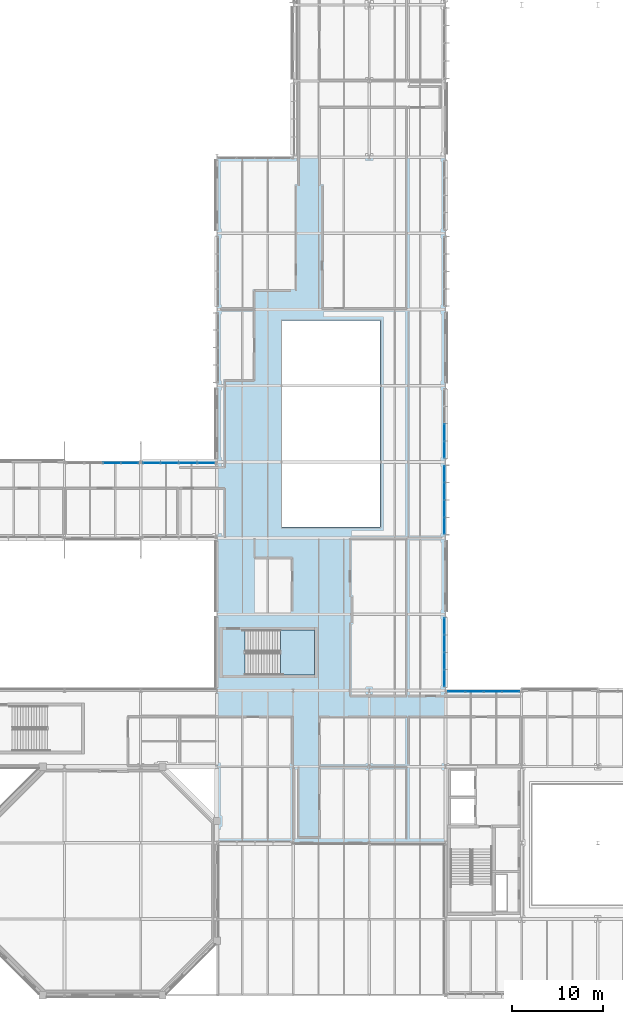
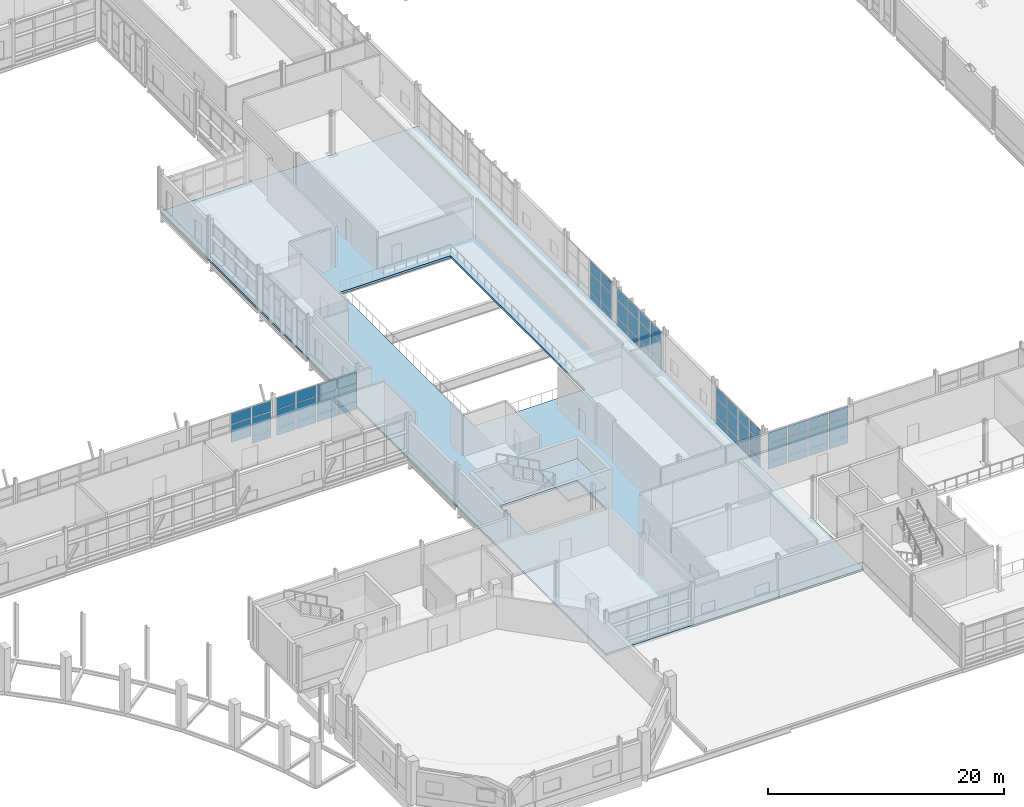
# One storey, part 83 of 129: 59 plates, 2 slabs, 7 elements without a shape of their own.
"""IFC4 building model written with IfcOpenShell, lengths in metres."""

from ifc_helpers import new_model, si_unit, direction, frame, origin, origin_2d, place, context, subcontext, project, spatial, polyline, rectangle, outline, extrude, material, layer, layer_set, type_object, element, aggregate, save


model = new_model("IFC4")

# Units and contexts
model_context = context("Model", 3, precision=1e-05, world=origin(), true_north=direction((0.0, 1.0)))
body_context = subcontext(model_context, "Body", "Model", "MODEL_VIEW")
ifc_project = project(units=[si_unit("LENGTHUNIT", "METRE"), si_unit("AREAUNIT", "SQUARE_METRE"), si_unit("VOLUMEUNIT", "CUBIC_METRE"), si_unit("PLANEANGLEUNIT", "RADIAN"), si_unit("MASSUNIT", "GRAM", prefix="KILO")], contexts=[model_context])

# Site, building, storey
site_placement = place(None, origin())
site = spatial("IfcSite", under=ifc_project, at=site_placement, CompositionType="ELEMENT")
building_placement = place(site_placement, origin())
building = spatial("IfcBuilding", under=site, at=building_placement, Name="Mersafa Astral City Hall", CompositionType="ELEMENT")
storey_placement = place(building_placement, frame((0.0, 0.0, 5.39990234375)))
storey = spatial("IfcBuildingStorey", under=building, at=storey_placement, Name="L01", CompositionType="ELEMENT", Elevation=5.39990234375)

# Curtain wall, plates
ifc_material_1 = material(Name="Anodised bronze aluminium framing", Category="aluminium")
curtain_wall_type_1 = type_object("IfcCurtainWallType", Name="ENV-CW-5", PredefinedType="USERDEFINED", material=ifc_material_1)
curtain_wall_1_placement = place(storey_placement, origin())
curtain_wall_1 = element("IfcCurtainWall", 1, at=curtain_wall_1_placement, inside=storey, type_object=curtain_wall_type_1, Name="L01 Unitised solar curtain wall 52", ObjectType="UNITISED CURTAIN WALL", PredefinedType="USERDEFINED")
ifc_material_2 = material(Name="Solar control low-e double glazing", Category="glass")
ifc_layer_1 = layer(ifc_material_2, 0.028076171875, Name="Solar control low-e double glazing")
ifc_layer_set_1 = layer_set([ifc_layer_1], Name="Solar control low-e double glazing — ENV-CW-PNL-GLZ-1")
plate_type_1 = type_object("IfcPlateType", Name="ENV-CW-PNL-GLZ-1", PredefinedType="CURTAIN_PANEL", material=ifc_layer_set_1)
plate_1_placement = place(storey_placement, frame((124.798583984375, 33.47998046875, 0.05810546875), z_axis=(0.0, 0.0, 1.0), x_axis=(-1.0, 0.0, 0.0)))
plate_1 = element("IfcPlate", 2, at=plate_1_placement, type_object=plate_type_1, Name="CW-5 panel 1.1", PredefinedType="CURTAIN_PANEL", context=body_context, shape_type="SweptSolid", body=[
    extrude(rectangle(XDim=1.839111328125, YDim=0.028076171875, at=origin_2d()), origin(), (0.0, 0.0, 1.0), 0.761962890625),
])
plate_2_placement = place(storey_placement, frame((124.798583984375, 33.47998046875, 0.8798828125), z_axis=(0.0, 0.0, 1.0), x_axis=(-1.0, 0.0, 0.0)))
plate_2 = element("IfcPlate", 3, at=plate_2_placement, type_object=plate_type_1, Name="CW-5 panel 1.2", PredefinedType="CURTAIN_PANEL", context=body_context, shape_type="SweptSolid", body=[
    extrude(rectangle(XDim=1.839111328125, YDim=0.028076171875, at=origin_2d()), origin(), (0.0, 0.0, 1.0), 1.840087890625),
])
plate_3_placement = place(storey_placement, frame((124.798583984375, 33.47998046875, 2.7802734375), z_axis=(0.0, 0.0, 1.0), x_axis=(-1.0, 0.0, 0.0)))
plate_3 = element("IfcPlate", 4, at=plate_3_placement, type_object=plate_type_1, Name="CW-5 panel 1.3", PredefinedType="CURTAIN_PANEL", context=body_context, shape_type="SweptSolid", body=[
    extrude(rectangle(XDim=1.839111328125, YDim=0.028076171875, at=origin_2d()), origin(), (0.0, 0.0, 1.0), 1.096923828125),
])
plate_4_placement = place(storey_placement, frame((122.8095703125, 33.47998046875, 0.05810546875), z_axis=(0.0, 0.0, 1.0), x_axis=(-1.0, 0.0, 0.0)))
plate_4 = element("IfcPlate", 5, at=plate_4_placement, type_object=plate_type_1, Name="CW-5 panel 2.1", PredefinedType="CURTAIN_PANEL", context=body_context, shape_type="SweptSolid", body=[
    extrude(rectangle(XDim=1.89892578125, YDim=0.028076171875, at=origin_2d()), origin(), (0.0, 0.0, 1.0), 0.761962890625),
])
plate_5_placement = place(storey_placement, frame((122.8095703125, 33.47998046875, 0.8798828125), z_axis=(0.0, 0.0, 1.0), x_axis=(-1.0, 0.0, 0.0)))
plate_5 = element("IfcPlate", 6, at=plate_5_placement, type_object=plate_type_1, Name="CW-5 panel 2.2", PredefinedType="CURTAIN_PANEL", context=body_context, shape_type="SweptSolid", body=[
    extrude(rectangle(XDim=1.89892578125, YDim=0.028076171875, at=origin_2d()), origin(), (0.0, 0.0, 1.0), 1.840087890625),
])
plate_6_placement = place(storey_placement, frame((122.8095703125, 33.47998046875, 2.7802734375), z_axis=(0.0, 0.0, 1.0), x_axis=(-1.0, 0.0, 0.0)))
plate_6 = element("IfcPlate", 7, at=plate_6_placement, type_object=plate_type_1, Name="CW-5 panel 2.3", PredefinedType="CURTAIN_PANEL", context=body_context, shape_type="SweptSolid", body=[
    extrude(rectangle(XDim=1.89892578125, YDim=0.028076171875, at=origin_2d()), origin(), (0.0, 0.0, 1.0), 1.096923828125),
])
plate_7_placement = place(storey_placement, frame((120.79052734375, 33.47998046875, 0.05810546875), z_axis=(0.0, 0.0, 1.0), x_axis=(-1.0, 0.0, 0.0)))
plate_7 = element("IfcPlate", 8, at=plate_7_placement, type_object=plate_type_1, Name="CW-5 panel 3.1", PredefinedType="CURTAIN_PANEL", context=body_context, shape_type="SweptSolid", body=[
    extrude(rectangle(XDim=1.89892578125, YDim=0.028076171875, at=origin_2d()), origin(), (0.0, 0.0, 1.0), 0.761962890625),
])
plate_8_placement = place(storey_placement, frame((120.79052734375, 33.47998046875, 0.8798828125), z_axis=(0.0, 0.0, 1.0), x_axis=(-1.0, 0.0, 0.0)))
plate_8 = element("IfcPlate", 9, at=plate_8_placement, type_object=plate_type_1, Name="CW-5 panel 3.2", PredefinedType="CURTAIN_PANEL", context=body_context, shape_type="SweptSolid", body=[
    extrude(rectangle(XDim=1.89892578125, YDim=0.028076171875, at=origin_2d()), origin(), (0.0, 0.0, 1.0), 1.840087890625),
])
plate_9_placement = place(storey_placement, frame((120.79052734375, 33.47998046875, 2.7802734375), z_axis=(0.0, 0.0, 1.0), x_axis=(-1.0, 0.0, 0.0)))
plate_9 = element("IfcPlate", 10, at=plate_9_placement, type_object=plate_type_1, Name="CW-5 panel 3.3", PredefinedType="CURTAIN_PANEL", context=body_context, shape_type="SweptSolid", body=[
    extrude(rectangle(XDim=1.89892578125, YDim=0.028076171875, at=origin_2d()), origin(), (0.0, 0.0, 1.0), 1.096923828125),
])
plate_10_placement = place(storey_placement, frame((118.801513671875, 33.47998046875, 0.05810546875), z_axis=(0.0, 0.0, 1.0), x_axis=(-1.0, 0.0, 0.0)))
plate_10 = element("IfcPlate", 11, at=plate_10_placement, type_object=plate_type_1, Name="CW-5 panel 4.1", PredefinedType="CURTAIN_PANEL", context=body_context, shape_type="SweptSolid", body=[
    extrude(rectangle(XDim=1.839111328125, YDim=0.028076171875, at=origin_2d()), origin(), (0.0, 0.0, 1.0), 0.761962890625),
])
plate_11_placement = place(storey_placement, frame((118.801513671875, 33.47998046875, 0.8798828125), z_axis=(0.0, 0.0, 1.0), x_axis=(-1.0, 0.0, 0.0)))
plate_11 = element("IfcPlate", 12, at=plate_11_placement, type_object=plate_type_1, Name="CW-5 panel 4.2", PredefinedType="CURTAIN_PANEL", context=body_context, shape_type="SweptSolid", body=[
    extrude(rectangle(XDim=1.839111328125, YDim=0.028076171875, at=origin_2d()), origin(), (0.0, 0.0, 1.0), 1.840087890625),
])
plate_12_placement = place(storey_placement, frame((118.801513671875, 33.47998046875, 2.7802734375), z_axis=(0.0, 0.0, 1.0), x_axis=(-1.0, 0.0, 0.0)))
plate_12 = element("IfcPlate", 13, at=plate_12_placement, type_object=plate_type_1, Name="CW-5 panel 4.3", PredefinedType="CURTAIN_PANEL", context=body_context, shape_type="SweptSolid", body=[
    extrude(rectangle(XDim=1.839111328125, YDim=0.028076171875, at=origin_2d()), origin(), (0.0, 0.0, 1.0), 1.096923828125),
])
aggregate(curtain_wall_1, [plate_1, plate_2, plate_3, plate_4, plate_5, plate_6, plate_7, plate_8, plate_9, plate_10, plate_11, plate_12])

curtain_wall_type_2 = type_object("IfcCurtainWallType", Name="ENV-CW-1", PredefinedType="USERDEFINED", material=ifc_material_1)
curtain_wall_2_placement = place(storey_placement, origin())
curtain_wall_2 = element("IfcCurtainWall", 14, at=curtain_wall_2_placement, inside=storey, type_object=curtain_wall_type_2, Name="L01 Unitised solar curtain wall 96", ObjectType="UNITISED CURTAIN WALL", PredefinedType="USERDEFINED")
plate_13_placement = place(storey_placement, frame((82.798583984375, 58.679931640625, 0.05810546875), z_axis=(0.0, 0.0, 1.0), x_axis=(-1.0, 0.0, 0.0)))
plate_13 = element("IfcPlate", 15, at=plate_13_placement, type_object=plate_type_1, Name="CW-1 panel 1.1", PredefinedType="CURTAIN_PANEL", context=body_context, shape_type="SweptSolid", body=[
    extrude(rectangle(XDim=1.839111328125, YDim=0.028076171875, at=origin_2d()), origin(), (0.0, 0.0, 1.0), 0.761962890625),
])
plate_14_placement = place(storey_placement, frame((82.798583984375, 58.679931640625, 0.8798828125), z_axis=(0.0, 0.0, 1.0), x_axis=(-1.0, 0.0, 0.0)))
plate_14 = element("IfcPlate", 16, at=plate_14_placement, type_object=plate_type_1, Name="CW-1 panel 1.2", PredefinedType="CURTAIN_PANEL", context=body_context, shape_type="SweptSolid", body=[
    extrude(rectangle(XDim=1.839111328125, YDim=0.028076171875, at=origin_2d()), origin(), (0.0, 0.0, 1.0), 1.840087890625),
])
plate_15_placement = place(storey_placement, frame((82.798583984375, 58.679931640625, 2.7802734375), z_axis=(0.0, 0.0, 1.0), x_axis=(-1.0, 0.0, 0.0)))
plate_15 = element("IfcPlate", 17, at=plate_15_placement, type_object=plate_type_1, Name="CW-1 panel 1.3", PredefinedType="CURTAIN_PANEL", context=body_context, shape_type="SweptSolid", body=[
    extrude(rectangle(XDim=1.839111328125, YDim=0.028076171875, at=origin_2d()), origin(), (0.0, 0.0, 1.0), 1.096923828125),
])
plate_16_placement = place(storey_placement, frame((80.8095703125, 58.679931640625, 0.8798828125), z_axis=(0.0, 0.0, 1.0), x_axis=(-1.0, 0.0, 0.0)))
plate_16 = element("IfcPlate", 18, at=plate_16_placement, type_object=plate_type_1, Name="CW-1 panel 2.2", PredefinedType="CURTAIN_PANEL", context=body_context, shape_type="SweptSolid", body=[
    extrude(rectangle(XDim=1.89892578125, YDim=0.028076171875, at=origin_2d()), origin(), (0.0, 0.0, 1.0), 1.840087890625),
])
plate_17_placement = place(storey_placement, frame((80.8095703125, 58.679931640625, 2.7802734375), z_axis=(0.0, 0.0, 1.0), x_axis=(-1.0, 0.0, 0.0)))
plate_17 = element("IfcPlate", 19, at=plate_17_placement, type_object=plate_type_1, Name="CW-1 panel 2.3", PredefinedType="CURTAIN_PANEL", context=body_context, shape_type="SweptSolid", body=[
    extrude(rectangle(XDim=1.89892578125, YDim=0.028076171875, at=origin_2d()), origin(), (0.0, 0.0, 1.0), 1.096923828125),
])
aggregate(curtain_wall_2, [plate_13, plate_14, plate_15, plate_16, plate_17])

curtain_wall_type_3 = type_object("IfcCurtainWallType", Name="ENV-CW-6", PredefinedType="USERDEFINED", material=ifc_material_1)
curtain_wall_3_placement = place(storey_placement, origin())
curtain_wall_3 = element("IfcCurtainWall", 20, at=curtain_wall_3_placement, inside=storey, type_object=curtain_wall_type_3, Name="L01 Unitised solar curtain wall 53", ObjectType="UNITISED CURTAIN WALL", PredefinedType="USERDEFINED")
ifc_layer_2 = layer(ifc_material_2, 0.031982421875, Name="Solar control low-e double glazing")
ifc_layer_set_2 = layer_set([ifc_layer_2], Name="Solar control low-e double glazing — ENV-CW-PNL-GLZ-2")
plate_type_2 = type_object("IfcPlateType", Name="ENV-CW-PNL-GLZ-2", PredefinedType="CURTAIN_PANEL", material=ifc_layer_set_2)
plate_18_placement = place(storey_placement, frame((117.47998046875, 34.932861328125, 0.05810546875), z_axis=(0.0, 0.0, 1.0), x_axis=(0.0, 1.0, 0.0)))
plate_18 = element("IfcPlate", 21, at=plate_18_placement, type_object=plate_type_2, Name="CW-6 panel 1.1", PredefinedType="CURTAIN_PANEL", context=body_context, shape_type="SweptSolid", body=[
    extrude(rectangle(XDim=1.75146484375, YDim=0.031982421875, at=origin_2d()), origin(), (0.0, 0.0, 1.0), 0.761962890625),
])
plate_19_placement = place(storey_placement, frame((117.47998046875, 34.932861328125, 0.8798828125), z_axis=(0.0, 0.0, 1.0), x_axis=(0.0, 1.0, 0.0)))
plate_19 = element("IfcPlate", 22, at=plate_19_placement, type_object=plate_type_2, Name="CW-6 panel 1.2", PredefinedType="CURTAIN_PANEL", context=body_context, shape_type="SweptSolid", body=[
    extrude(rectangle(XDim=1.75146484375, YDim=0.031982421875, at=origin_2d()), origin(), (0.0, 0.0, 1.0), 1.840087890625),
])
plate_20_placement = place(storey_placement, frame((117.47998046875, 34.932861328125, 2.7802734375), z_axis=(0.0, 0.0, 1.0), x_axis=(0.0, 1.0, 0.0)))
plate_20 = element("IfcPlate", 23, at=plate_20_placement, type_object=plate_type_2, Name="CW-6 panel 1.3", PredefinedType="CURTAIN_PANEL", context=body_context, shape_type="SweptSolid", body=[
    extrude(rectangle(XDim=1.75146484375, YDim=0.031982421875, at=origin_2d()), origin(), (0.0, 0.0, 1.0), 1.096923828125),
])
plate_21_placement = place(storey_placement, frame((117.47998046875, 36.834228515625, 0.05810546875), z_axis=(0.0, 0.0, 1.0), x_axis=(0.0, 1.0, 0.0)))
plate_21 = element("IfcPlate", 24, at=plate_21_placement, type_object=plate_type_2, Name="CW-6 panel 2.1", PredefinedType="CURTAIN_PANEL", context=body_context, shape_type="SweptSolid", body=[
    extrude(rectangle(XDim=1.8115234375, YDim=0.031982421875, at=origin_2d()), origin(), (0.0, 0.0, 1.0), 0.761962890625),
])
plate_22_placement = place(storey_placement, frame((117.47998046875, 36.834228515625, 0.8798828125), z_axis=(0.0, 0.0, 1.0), x_axis=(0.0, 1.0, 0.0)))
plate_22 = element("IfcPlate", 25, at=plate_22_placement, type_object=plate_type_2, Name="CW-6 panel 2.2", PredefinedType="CURTAIN_PANEL", context=body_context, shape_type="SweptSolid", body=[
    extrude(rectangle(XDim=1.8115234375, YDim=0.031982421875, at=origin_2d()), origin(), (0.0, 0.0, 1.0), 1.840087890625),
])
plate_23_placement = place(storey_placement, frame((117.47998046875, 36.834228515625, 2.7802734375), z_axis=(0.0, 0.0, 1.0), x_axis=(0.0, 1.0, 0.0)))
plate_23 = element("IfcPlate", 26, at=plate_23_placement, type_object=plate_type_2, Name="CW-6 panel 2.3", PredefinedType="CURTAIN_PANEL", context=body_context, shape_type="SweptSolid", body=[
    extrude(rectangle(XDim=1.8115234375, YDim=0.031982421875, at=origin_2d()), origin(), (0.0, 0.0, 1.0), 1.096923828125),
])
plate_24_placement = place(storey_placement, frame((117.47998046875, 38.765869140625, 0.05810546875), z_axis=(0.0, 0.0, 1.0), x_axis=(0.0, 1.0, 0.0)))
plate_24 = element("IfcPlate", 27, at=plate_24_placement, type_object=plate_type_2, Name="CW-6 panel 3.1", PredefinedType="CURTAIN_PANEL", context=body_context, shape_type="SweptSolid", body=[
    extrude(rectangle(XDim=1.8115234375, YDim=0.031982421875, at=origin_2d()), origin(), (0.0, 0.0, 1.0), 0.761962890625),
])
plate_25_placement = place(storey_placement, frame((117.47998046875, 38.765869140625, 0.8798828125), z_axis=(0.0, 0.0, 1.0), x_axis=(0.0, 1.0, 0.0)))
plate_25 = element("IfcPlate", 28, at=plate_25_placement, type_object=plate_type_2, Name="CW-6 panel 3.2", PredefinedType="CURTAIN_PANEL", context=body_context, shape_type="SweptSolid", body=[
    extrude(rectangle(XDim=1.8115234375, YDim=0.031982421875, at=origin_2d()), origin(), (0.0, 0.0, 1.0), 1.840087890625),
])
plate_26_placement = place(storey_placement, frame((117.47998046875, 38.765869140625, 2.7802734375), z_axis=(0.0, 0.0, 1.0), x_axis=(0.0, 1.0, 0.0)))
plate_26 = element("IfcPlate", 29, at=plate_26_placement, type_object=plate_type_2, Name="CW-6 panel 3.3", PredefinedType="CURTAIN_PANEL", context=body_context, shape_type="SweptSolid", body=[
    extrude(rectangle(XDim=1.8115234375, YDim=0.031982421875, at=origin_2d()), origin(), (0.0, 0.0, 1.0), 1.096923828125),
])
plate_27_placement = place(storey_placement, frame((117.47998046875, 40.667236328125, 0.05810546875), z_axis=(0.0, 0.0, 1.0), x_axis=(0.0, 1.0, 0.0)))
plate_27 = element("IfcPlate", 30, at=plate_27_placement, type_object=plate_type_2, Name="CW-6 panel 4.1", PredefinedType="CURTAIN_PANEL", context=body_context, shape_type="SweptSolid", body=[
    extrude(rectangle(XDim=1.75146484375, YDim=0.031982421875, at=origin_2d()), origin(), (0.0, 0.0, 1.0), 0.761962890625),
])
plate_28_placement = place(storey_placement, frame((117.47998046875, 40.667236328125, 0.8798828125), z_axis=(0.0, 0.0, 1.0), x_axis=(0.0, 1.0, 0.0)))
plate_28 = element("IfcPlate", 31, at=plate_28_placement, type_object=plate_type_2, Name="CW-6 panel 4.2", PredefinedType="CURTAIN_PANEL", context=body_context, shape_type="SweptSolid", body=[
    extrude(rectangle(XDim=1.75146484375, YDim=0.031982421875, at=origin_2d()), origin(), (0.0, 0.0, 1.0), 1.840087890625),
])
plate_29_placement = place(storey_placement, frame((117.47998046875, 40.667236328125, 2.7802734375), z_axis=(0.0, 0.0, 1.0), x_axis=(0.0, 1.0, 0.0)))
plate_29 = element("IfcPlate", 32, at=plate_29_placement, type_object=plate_type_2, Name="CW-6 panel 4.3", PredefinedType="CURTAIN_PANEL", context=body_context, shape_type="SweptSolid", body=[
    extrude(rectangle(XDim=1.75146484375, YDim=0.031982421875, at=origin_2d()), origin(), (0.0, 0.0, 1.0), 1.096923828125),
])
aggregate(curtain_wall_3, [plate_18, plate_19, plate_20, plate_21, plate_22, plate_23, plate_24, plate_25, plate_26, plate_27, plate_28, plate_29])

curtain_wall_4_placement = place(storey_placement, origin())
curtain_wall_4 = element("IfcCurtainWall", 33, at=curtain_wall_4_placement, inside=storey, type_object=curtain_wall_type_2, Name="L01 Unitised solar curtain wall 54", ObjectType="UNITISED CURTAIN WALL", PredefinedType="USERDEFINED")
ifc_layer_3 = layer(ifc_material_2, 0.035888671875, Name="Solar control low-e double glazing")
ifc_layer_set_3 = layer_set([ifc_layer_3], Name="Solar control low-e double glazing — ENV-CW-PNL-GLZ-3")
plate_type_3 = type_object("IfcPlateType", Name="ENV-CW-PNL-GLZ-3", PredefinedType="CURTAIN_PANEL", material=ifc_layer_set_3)
plate_30_placement = place(storey_placement, frame((117.47998046875, 51.732666015625, 0.05810546875), z_axis=(0.0, 0.0, 1.0), x_axis=(0.0, 1.0, 0.0)))
plate_30 = element("IfcPlate", 34, at=plate_30_placement, type_object=plate_type_3, Name="CW-1 panel 1.1", PredefinedType="CURTAIN_PANEL", context=body_context, shape_type="SweptSolid", body=[
    extrude(rectangle(XDim=1.75146484375, YDim=0.035888671875, at=origin_2d()), origin(), (0.0, 0.0, 1.0), 0.761962890625),
])
plate_31_placement = place(storey_placement, frame((117.47998046875, 51.732666015625, 0.8798828125), z_axis=(0.0, 0.0, 1.0), x_axis=(0.0, 1.0, 0.0)))
plate_31 = element("IfcPlate", 35, at=plate_31_placement, type_object=plate_type_3, Name="CW-1 panel 1.2", PredefinedType="CURTAIN_PANEL", context=body_context, shape_type="SweptSolid", body=[
    extrude(rectangle(XDim=1.75146484375, YDim=0.035888671875, at=origin_2d()), origin(), (0.0, 0.0, 1.0), 1.840087890625),
])
plate_32_placement = place(storey_placement, frame((117.47998046875, 51.732666015625, 2.7802734375), z_axis=(0.0, 0.0, 1.0), x_axis=(0.0, 1.0, 0.0)))
plate_32 = element("IfcPlate", 36, at=plate_32_placement, type_object=plate_type_3, Name="CW-1 panel 1.3", PredefinedType="CURTAIN_PANEL", context=body_context, shape_type="SweptSolid", body=[
    extrude(rectangle(XDim=1.75146484375, YDim=0.035888671875, at=origin_2d()), origin(), (0.0, 0.0, 1.0), 1.096923828125),
])
plate_33_placement = place(storey_placement, frame((117.47998046875, 53.63427734375, 0.05810546875), z_axis=(0.0, 0.0, 1.0), x_axis=(0.0, 1.0, 0.0)))
plate_33 = element("IfcPlate", 37, at=plate_33_placement, type_object=plate_type_3, Name="CW-1 panel 2.1", PredefinedType="CURTAIN_PANEL", context=body_context, shape_type="SweptSolid", body=[
    extrude(rectangle(XDim=1.8115234375, YDim=0.035888671875, at=origin_2d()), origin(), (0.0, 0.0, 1.0), 0.761962890625),
])
plate_34_placement = place(storey_placement, frame((117.47998046875, 53.63427734375, 0.8798828125), z_axis=(0.0, 0.0, 1.0), x_axis=(0.0, 1.0, 0.0)))
plate_34 = element("IfcPlate", 38, at=plate_34_placement, type_object=plate_type_3, Name="CW-1 panel 2.2", PredefinedType="CURTAIN_PANEL", context=body_context, shape_type="SweptSolid", body=[
    extrude(rectangle(XDim=1.8115234375, YDim=0.035888671875, at=origin_2d()), origin(), (0.0, 0.0, 1.0), 1.840087890625),
])
plate_35_placement = place(storey_placement, frame((117.47998046875, 53.63427734375, 2.7802734375), z_axis=(0.0, 0.0, 1.0), x_axis=(0.0, 1.0, 0.0)))
plate_35 = element("IfcPlate", 39, at=plate_35_placement, type_object=plate_type_3, Name="CW-1 panel 2.3", PredefinedType="CURTAIN_PANEL", context=body_context, shape_type="SweptSolid", body=[
    extrude(rectangle(XDim=1.8115234375, YDim=0.035888671875, at=origin_2d()), origin(), (0.0, 0.0, 1.0), 1.096923828125),
])
plate_36_placement = place(storey_placement, frame((117.47998046875, 55.565673828125, 0.05810546875), z_axis=(0.0, 0.0, 1.0), x_axis=(0.0, 1.0, 0.0)))
plate_36 = element("IfcPlate", 40, at=plate_36_placement, type_object=plate_type_3, Name="CW-1 panel 3.1", PredefinedType="CURTAIN_PANEL", context=body_context, shape_type="SweptSolid", body=[
    extrude(rectangle(XDim=1.8115234375, YDim=0.035888671875, at=origin_2d()), origin(), (0.0, 0.0, 1.0), 0.761962890625),
])
plate_37_placement = place(storey_placement, frame((117.47998046875, 55.565673828125, 0.8798828125), z_axis=(0.0, 0.0, 1.0), x_axis=(0.0, 1.0, 0.0)))
plate_37 = element("IfcPlate", 41, at=plate_37_placement, type_object=plate_type_3, Name="CW-1 panel 3.2", PredefinedType="CURTAIN_PANEL", context=body_context, shape_type="SweptSolid", body=[
    extrude(rectangle(XDim=1.8115234375, YDim=0.035888671875, at=origin_2d()), origin(), (0.0, 0.0, 1.0), 1.840087890625),
])
plate_38_placement = place(storey_placement, frame((117.47998046875, 55.565673828125, 2.7802734375), z_axis=(0.0, 0.0, 1.0), x_axis=(0.0, 1.0, 0.0)))
plate_38 = element("IfcPlate", 42, at=plate_38_placement, type_object=plate_type_3, Name="CW-1 panel 3.3", PredefinedType="CURTAIN_PANEL", context=body_context, shape_type="SweptSolid", body=[
    extrude(rectangle(XDim=1.8115234375, YDim=0.035888671875, at=origin_2d()), origin(), (0.0, 0.0, 1.0), 1.096923828125),
])
plate_39_placement = place(storey_placement, frame((117.47998046875, 57.46728515625, 0.05810546875), z_axis=(0.0, 0.0, 1.0), x_axis=(0.0, 1.0, 0.0)))
plate_39 = element("IfcPlate", 43, at=plate_39_placement, type_object=plate_type_3, Name="CW-1 panel 4.1", PredefinedType="CURTAIN_PANEL", context=body_context, shape_type="SweptSolid", body=[
    extrude(rectangle(XDim=1.75146484375, YDim=0.035888671875, at=origin_2d()), origin(), (0.0, 0.0, 1.0), 0.761962890625),
])
plate_40_placement = place(storey_placement, frame((117.47998046875, 57.46728515625, 0.8798828125), z_axis=(0.0, 0.0, 1.0), x_axis=(0.0, 1.0, 0.0)))
plate_40 = element("IfcPlate", 44, at=plate_40_placement, type_object=plate_type_3, Name="CW-1 panel 4.2", PredefinedType="CURTAIN_PANEL", context=body_context, shape_type="SweptSolid", body=[
    extrude(rectangle(XDim=1.75146484375, YDim=0.035888671875, at=origin_2d()), origin(), (0.0, 0.0, 1.0), 1.840087890625),
])
plate_41_placement = place(storey_placement, frame((117.47998046875, 57.46728515625, 2.7802734375), z_axis=(0.0, 0.0, 1.0), x_axis=(0.0, 1.0, 0.0)))
plate_41 = element("IfcPlate", 45, at=plate_41_placement, type_object=plate_type_3, Name="CW-1 panel 4.3", PredefinedType="CURTAIN_PANEL", context=body_context, shape_type="SweptSolid", body=[
    extrude(rectangle(XDim=1.75146484375, YDim=0.035888671875, at=origin_2d()), origin(), (0.0, 0.0, 1.0), 1.096923828125),
])
aggregate(curtain_wall_4, [plate_30, plate_31, plate_32, plate_33, plate_34, plate_35, plate_36, plate_37, plate_38, plate_39, plate_40, plate_41])

curtain_wall_type_4 = type_object("IfcCurtainWallType", Name="ENV-CW-2", PredefinedType="USERDEFINED", material=ifc_material_1)
curtain_wall_5_placement = place(storey_placement, origin())
curtain_wall_5 = element("IfcCurtainWall", 46, at=curtain_wall_5_placement, inside=storey, type_object=curtain_wall_type_4, Name="L01 Unitised solar curtain wall 55", ObjectType="UNITISED CURTAIN WALL", PredefinedType="USERDEFINED")
ifc_layer_4 = layer(ifc_material_2, 0.0400390625, Name="Solar control low-e double glazing")
ifc_layer_set_4 = layer_set([ifc_layer_4], Name="Solar control low-e double glazing — ENV-CW-PNL-GLZ-4")
plate_type_4 = type_object("IfcPlateType", Name="ENV-CW-PNL-GLZ-4", PredefinedType="CURTAIN_PANEL", material=ifc_layer_set_4)
plate_42_placement = place(storey_placement, frame((117.47998046875, 60.1328125, 0.05810546875), z_axis=(0.0, 0.0, 1.0), x_axis=(0.0, 1.0, 0.0)))
plate_42 = element("IfcPlate", 47, at=plate_42_placement, type_object=plate_type_4, Name="CW-2 panel 1.1", PredefinedType="CURTAIN_PANEL", context=body_context, shape_type="SweptSolid", body=[
    extrude(rectangle(XDim=1.75146484375, YDim=0.0400390625, at=origin_2d()), origin(), (0.0, 0.0, 1.0), 0.761962890625),
])
plate_43_placement = place(storey_placement, frame((117.47998046875, 60.1328125, 0.8798828125), z_axis=(0.0, 0.0, 1.0), x_axis=(0.0, 1.0, 0.0)))
plate_43 = element("IfcPlate", 48, at=plate_43_placement, type_object=plate_type_4, Name="CW-2 panel 1.2", PredefinedType="CURTAIN_PANEL", context=body_context, shape_type="SweptSolid", body=[
    extrude(rectangle(XDim=1.75146484375, YDim=0.0400390625, at=origin_2d()), origin(), (0.0, 0.0, 1.0), 1.840087890625),
])
plate_44_placement = place(storey_placement, frame((117.47998046875, 60.1328125, 2.780029296875), z_axis=(0.0, 0.0, 1.0), x_axis=(0.0, 1.0, 0.0)))
plate_44 = element("IfcPlate", 49, at=plate_44_placement, type_object=plate_type_4, Name="CW-2 panel 1.3", PredefinedType="CURTAIN_PANEL", context=body_context, shape_type="SweptSolid", body=[
    extrude(rectangle(XDim=1.75146484375, YDim=0.0400390625, at=origin_2d()), origin(), (0.0, 0.0, 1.0), 1.18701171875),
])
plate_45_placement = place(storey_placement, frame((117.47998046875, 62.0341796875, 0.05810546875), z_axis=(0.0, 0.0, 1.0), x_axis=(0.0, 1.0, 0.0)))
plate_45 = element("IfcPlate", 50, at=plate_45_placement, type_object=plate_type_4, Name="CW-2 panel 2.1", PredefinedType="CURTAIN_PANEL", context=body_context, shape_type="SweptSolid", body=[
    extrude(rectangle(XDim=1.8115234375, YDim=0.0400390625, at=origin_2d()), origin(), (0.0, 0.0, 1.0), 0.761962890625),
])
plate_46_placement = place(storey_placement, frame((117.47998046875, 62.0341796875, 0.8798828125), z_axis=(0.0, 0.0, 1.0), x_axis=(0.0, 1.0, 0.0)))
plate_46 = element("IfcPlate", 51, at=plate_46_placement, type_object=plate_type_4, Name="CW-2 panel 2.2", PredefinedType="CURTAIN_PANEL", context=body_context, shape_type="SweptSolid", body=[
    extrude(rectangle(XDim=1.8115234375, YDim=0.0400390625, at=origin_2d()), origin(), (0.0, 0.0, 1.0), 1.840087890625),
])
plate_47_placement = place(storey_placement, frame((117.47998046875, 62.0341796875, 2.780029296875), z_axis=(0.0, 0.0, 1.0), x_axis=(0.0, 1.0, 0.0)))
plate_47 = element("IfcPlate", 52, at=plate_47_placement, type_object=plate_type_4, Name="CW-2 panel 2.3", PredefinedType="CURTAIN_PANEL", context=body_context, shape_type="SweptSolid", body=[
    extrude(rectangle(XDim=1.8115234375, YDim=0.0400390625, at=origin_2d()), origin(), (0.0, 0.0, 1.0), 1.18701171875),
])
aggregate(curtain_wall_5, [plate_42, plate_43, plate_44, plate_45, plate_46, plate_47])

curtain_wall_6_placement = place(storey_placement, origin())
curtain_wall_6 = element("IfcCurtainWall", 53, at=curtain_wall_6_placement, inside=storey, type_object=curtain_wall_type_3, Name="L01 Unitised solar curtain wall 95", ObjectType="UNITISED CURTAIN WALL", PredefinedType="USERDEFINED")
plate_48_placement = place(storey_placement, frame((91.198486328125, 58.679931640625, 0.05810546875), z_axis=(0.0, 0.0, 1.0), x_axis=(-1.0, 0.0, 0.0)))
plate_48 = element("IfcPlate", 54, at=plate_48_placement, type_object=plate_type_4, Name="CW-6 panel 1.1", PredefinedType="CURTAIN_PANEL", context=body_context, shape_type="SweptSolid", body=[
    extrude(rectangle(XDim=1.839111328125, YDim=0.0400390625, at=origin_2d()), origin(), (0.0, 0.0, 1.0), 0.761962890625),
])
plate_49_placement = place(storey_placement, frame((91.198486328125, 58.679931640625, 0.8798828125), z_axis=(0.0, 0.0, 1.0), x_axis=(-1.0, 0.0, 0.0)))
plate_49 = element("IfcPlate", 55, at=plate_49_placement, type_object=plate_type_4, Name="CW-6 panel 1.2", PredefinedType="CURTAIN_PANEL", context=body_context, shape_type="SweptSolid", body=[
    extrude(rectangle(XDim=1.839111328125, YDim=0.0400390625, at=origin_2d()), origin(), (0.0, 0.0, 1.0), 1.840087890625),
])
plate_50_placement = place(storey_placement, frame((91.198486328125, 58.679931640625, 2.780029296875), z_axis=(0.0, 0.0, 1.0), x_axis=(-1.0, 0.0, 0.0)))
plate_50 = element("IfcPlate", 56, at=plate_50_placement, type_object=plate_type_4, Name="CW-6 panel 1.3", PredefinedType="CURTAIN_PANEL", context=body_context, shape_type="SweptSolid", body=[
    extrude(rectangle(XDim=1.839111328125, YDim=0.0400390625, at=origin_2d()), origin(), (0.0, 0.0, 1.0), 1.126953125),
])
plate_51_placement = place(storey_placement, frame((89.20947265625, 58.679931640625, 0.05810546875), z_axis=(0.0, 0.0, 1.0), x_axis=(-1.0, 0.0, 0.0)))
plate_51 = element("IfcPlate", 57, at=plate_51_placement, type_object=plate_type_4, Name="CW-6 panel 2.1", PredefinedType="CURTAIN_PANEL", context=body_context, shape_type="SweptSolid", body=[
    extrude(rectangle(XDim=1.89892578125, YDim=0.0400390625, at=origin_2d()), origin(), (0.0, 0.0, 1.0), 0.761962890625),
])
plate_52_placement = place(storey_placement, frame((89.20947265625, 58.679931640625, 0.8798828125), z_axis=(0.0, 0.0, 1.0), x_axis=(-1.0, 0.0, 0.0)))
plate_52 = element("IfcPlate", 58, at=plate_52_placement, type_object=plate_type_4, Name="CW-6 panel 2.2", PredefinedType="CURTAIN_PANEL", context=body_context, shape_type="SweptSolid", body=[
    extrude(rectangle(XDim=1.89892578125, YDim=0.0400390625, at=origin_2d()), origin(), (0.0, 0.0, 1.0), 1.840087890625),
])
plate_53_placement = place(storey_placement, frame((89.20947265625, 58.679931640625, 2.780029296875), z_axis=(0.0, 0.0, 1.0), x_axis=(-1.0, 0.0, 0.0)))
plate_53 = element("IfcPlate", 59, at=plate_53_placement, type_object=plate_type_4, Name="CW-6 panel 2.3", PredefinedType="CURTAIN_PANEL", context=body_context, shape_type="SweptSolid", body=[
    extrude(rectangle(XDim=1.89892578125, YDim=0.0400390625, at=origin_2d()), origin(), (0.0, 0.0, 1.0), 1.126953125),
])
plate_54_placement = place(storey_placement, frame((87.1904296875, 58.679931640625, 0.05810546875), z_axis=(0.0, 0.0, 1.0), x_axis=(-1.0, 0.0, 0.0)))
plate_54 = element("IfcPlate", 60, at=plate_54_placement, type_object=plate_type_4, Name="CW-6 panel 3.1", PredefinedType="CURTAIN_PANEL", context=body_context, shape_type="SweptSolid", body=[
    extrude(rectangle(XDim=1.89892578125, YDim=0.0400390625, at=origin_2d()), origin(), (0.0, 0.0, 1.0), 0.761962890625),
])
plate_55_placement = place(storey_placement, frame((87.1904296875, 58.679931640625, 0.8798828125), z_axis=(0.0, 0.0, 1.0), x_axis=(-1.0, 0.0, 0.0)))
plate_55 = element("IfcPlate", 61, at=plate_55_placement, type_object=plate_type_4, Name="CW-6 panel 3.2", PredefinedType="CURTAIN_PANEL", context=body_context, shape_type="SweptSolid", body=[
    extrude(rectangle(XDim=1.89892578125, YDim=0.0400390625, at=origin_2d()), origin(), (0.0, 0.0, 1.0), 1.840087890625),
])
plate_56_placement = place(storey_placement, frame((87.1904296875, 58.679931640625, 2.780029296875), z_axis=(0.0, 0.0, 1.0), x_axis=(-1.0, 0.0, 0.0)))
plate_56 = element("IfcPlate", 62, at=plate_56_placement, type_object=plate_type_4, Name="CW-6 panel 3.3", PredefinedType="CURTAIN_PANEL", context=body_context, shape_type="SweptSolid", body=[
    extrude(rectangle(XDim=1.89892578125, YDim=0.0400390625, at=origin_2d()), origin(), (0.0, 0.0, 1.0), 1.126953125),
])
plate_57_placement = place(storey_placement, frame((85.201416015625, 58.679931640625, 0.05810546875), z_axis=(0.0, 0.0, 1.0), x_axis=(-1.0, 0.0, 0.0)))
plate_57 = element("IfcPlate", 63, at=plate_57_placement, type_object=plate_type_4, Name="CW-6 panel 4.1", PredefinedType="CURTAIN_PANEL", context=body_context, shape_type="SweptSolid", body=[
    extrude(rectangle(XDim=1.839111328125, YDim=0.0400390625, at=origin_2d()), origin(), (0.0, 0.0, 1.0), 0.761962890625),
])
plate_58_placement = place(storey_placement, frame((85.201416015625, 58.679931640625, 0.8798828125), z_axis=(0.0, 0.0, 1.0), x_axis=(-1.0, 0.0, 0.0)))
plate_58 = element("IfcPlate", 64, at=plate_58_placement, type_object=plate_type_4, Name="CW-6 panel 4.2", PredefinedType="CURTAIN_PANEL", context=body_context, shape_type="SweptSolid", body=[
    extrude(rectangle(XDim=1.839111328125, YDim=0.0400390625, at=origin_2d()), origin(), (0.0, 0.0, 1.0), 1.840087890625),
])
plate_59_placement = place(storey_placement, frame((85.201416015625, 58.679931640625, 2.780029296875), z_axis=(0.0, 0.0, 1.0), x_axis=(-1.0, 0.0, 0.0)))
plate_59 = element("IfcPlate", 65, at=plate_59_placement, type_object=plate_type_4, Name="CW-6 panel 4.3", PredefinedType="CURTAIN_PANEL", context=body_context, shape_type="SweptSolid", body=[
    extrude(rectangle(XDim=1.839111328125, YDim=0.0400390625, at=origin_2d()), origin(), (0.0, 0.0, 1.0), 1.126953125),
])
aggregate(curtain_wall_6, [plate_48, plate_49, plate_50, plate_51, plate_52, plate_53, plate_54, plate_55, plate_56, plate_57, plate_58, plate_59])

# Stair, slab
ifc_material_3 = material(Name="Concrete C40/50", Category="concrete")
stair_type = type_object("IfcStairType", Name="STAIR", PredefinedType="HALF_TURN_STAIR", material=ifc_material_3)
stair_placement = place(storey_placement, origin())
stair = element("IfcStair", 66, at=stair_placement, inside=storey, type_object=stair_type, Name="L01 Assembly Protected Exit Stair ST8", PredefinedType="HALF_TURN_STAIR")
ifc_layer_5 = layer(ifc_material_3, 0.199951171875, Name="Concrete C40/50")
ifc_layer_set_5 = layer_set([ifc_layer_5], Name="Concrete C40/50 — STAIR-LANDING")
slab_type_1 = type_object("IfcSlabType", Name="STAIR-LANDING", PredefinedType="LANDING", material=ifc_layer_set_5)
slab_1_placement = place(storey_placement, frame((0.0, 0.0, 2.050048828125)))
slab_1 = element("IfcSlab", 67, at=slab_1_placement, type_object=slab_type_1, Name="ST8 landing 1", PredefinedType="LANDING", context=body_context, shape_type="SweptSolid", body=[
    extrude(outline(polyline([(99.39990234375, 35.320068359375), (103.14990234375, 35.320068359375), (103.14990234375, 40.280029296875), (99.39990234375, 40.280029296875), (99.39990234375, 35.320068359375)])), origin(), (0.0, 0.0, 1.0), 0.199951171875),
])
aggregate(stair, [slab_1])

# Slab
ifc_material_4 = material(Name="Concrete C35/45", Category="concrete")
ifc_layer_6 = layer(ifc_material_4, 0.22509765625, Name="Concrete C35/45")
ifc_layer_set_6 = layer_set([ifc_layer_6], Name="Concrete C35/45 — STR-SLAB-FLR-225")
slab_type_2 = type_object("IfcSlabType", Name="STR-SLAB-FLR-225", PredefinedType="FLOOR", material=ifc_layer_set_6)
slab_2_placement = place(storey_placement, frame((0.0, 0.0, -0.224853515625)))
element("IfcSlab", 68, at=slab_2_placement, inside=storey, type_object=slab_type_2, Name="L01 V2 structural floor slab 1", PredefinedType="FLOOR", context=body_context, shape_type="SweptSolid", body=[
    extrude(outline(polyline([(92.39990234375, 42.0), (92.39990234375, 50.39990234375), (92.39990234375, 58.800048828125), (92.39990234375, 67.199951171875), (92.39990234375, 75.60009765625), (92.39990234375, 84.0), (92.39990234375, 92.39990234375), (100.800048828125, 92.39990234375), (109.199951171875, 92.39990234375), (117.60009765625, 92.39990234375), (117.60009765625, 84.0), (117.60009765625, 75.60009765625), (117.60009765625, 67.199951171875), (117.60009765625, 58.800048828125), (117.60009765625, 50.39990234375), (117.60009765625, 42.0), (117.60009765625, 33.60009765625), (117.60009765625, 25.199951171875), (117.60009765625, 16.800048828125), (109.199951171875, 16.800048828125), (100.800048828125, 16.800048828125), (92.39990234375, 16.800048828125), (92.39990234375, 25.199951171875), (92.39990234375, 33.60009765625), (92.39990234375, 42.0)]), holes=[polyline([(95.5, 35.320068359375), (103.14990234375, 35.320068359375), (103.14990234375, 40.280029296875), (95.5, 40.280029296875), (95.5, 35.320068359375)]), polyline([(110.39990234375, 51.60009765625), (110.39990234375, 74.39990234375), (99.60009765625, 74.39990234375), (99.60009765625, 51.60009765625), (110.39990234375, 51.60009765625)])]), origin(), (0.0, 0.0, 1.0), 0.224853515625),
])

save(model, "model.ifc")
